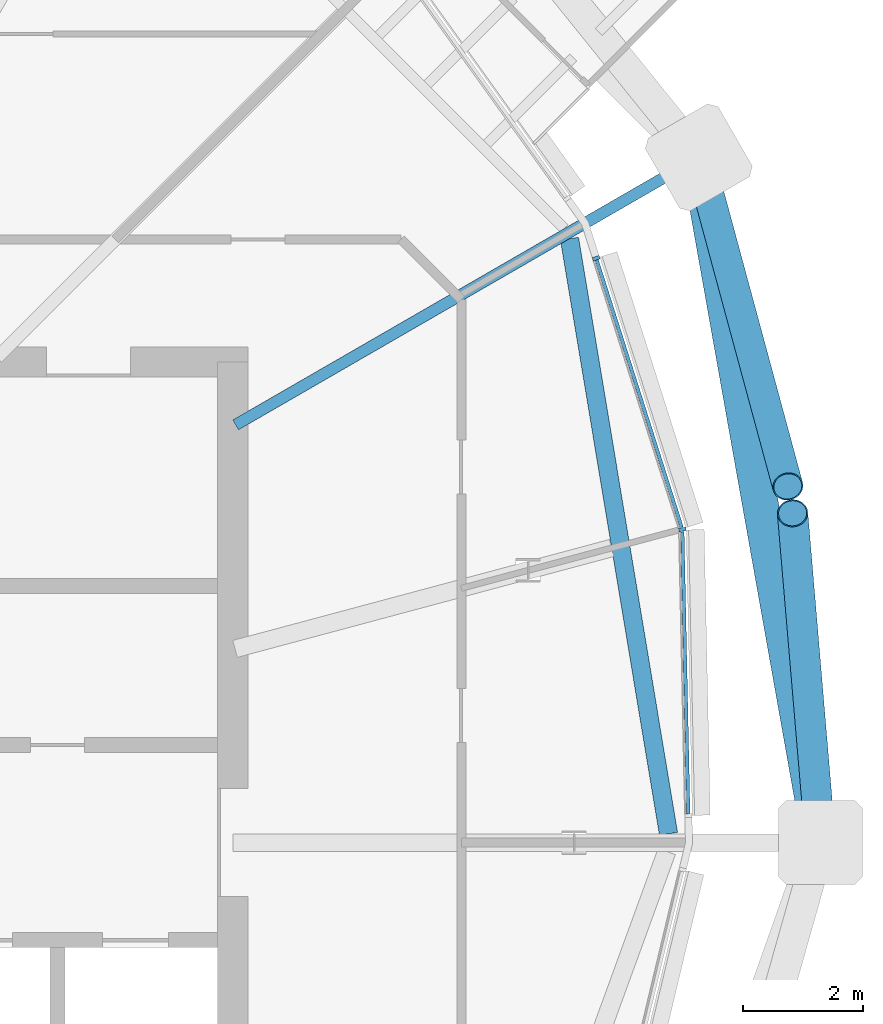
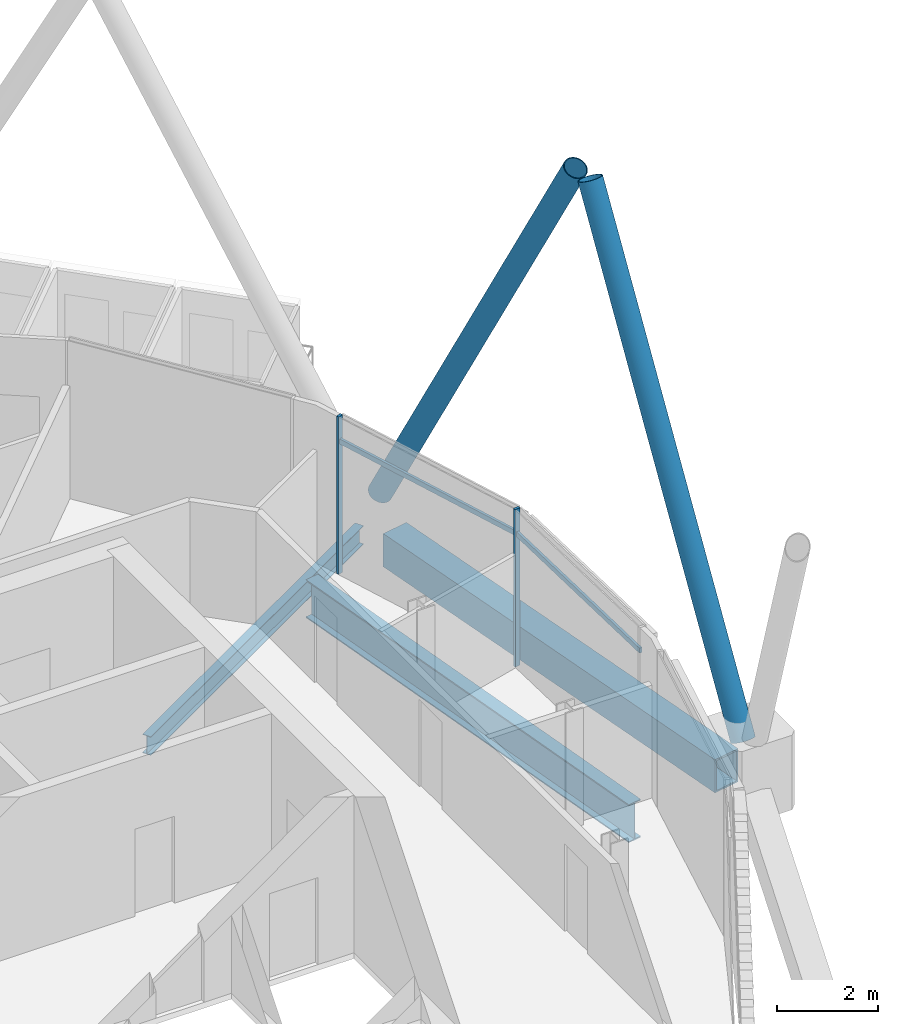
# One storey, part 15 of 34: 6 members, 3 beams, 1 element without a shape of its own.
"""IFC4 building model written with IfcOpenShell, lengths in metres."""

from ifc_helpers import new_model, si_unit, direction, frame, origin, origin_2d, place, context, subcontext, project, spatial, rectangle, hollow_rectangle, hollow_circle, i_section, extrude, material, material_profile, profile_set, type_object, element, aggregate, save


model = new_model("IFC4")

# Units and contexts
model_context = context("Model", 3, precision=1e-05, world=origin(), true_north=direction((0.0, 1.0)))
body_context = subcontext(model_context, "Body", "Model", "MODEL_VIEW")
ifc_project = project(units=[si_unit("LENGTHUNIT", "METRE"), si_unit("AREAUNIT", "SQUARE_METRE"), si_unit("VOLUMEUNIT", "CUBIC_METRE"), si_unit("PLANEANGLEUNIT", "RADIAN"), si_unit("MASSUNIT", "GRAM", prefix="KILO")], contexts=[model_context])

# Site, building, storey
site_placement = place(None, origin())
site = spatial("IfcSite", under=ifc_project, at=site_placement, CompositionType="ELEMENT")
building_placement = place(site_placement, origin())
building = spatial("IfcBuilding", under=site, at=building_placement, Name="Rimbun Link Towers", CompositionType="ELEMENT")
storey_placement = place(building_placement, frame((0.0, 0.0, 221.89990234375)))
storey = spatial("IfcBuildingStorey", under=building, at=storey_placement, Name="L54", CompositionType="ELEMENT", Elevation=221.89990234375)

# Curtain wall, members
ifc_material_1 = material(Name="Aluminium 6063-T6 and low-iron glass", Category="aluminium")
curtain_wall_type = type_object("IfcCurtainWallType", Name="CW1-Z4 unitised vision wall (zone 4)", PredefinedType="NOTDEFINED", material=ifc_material_1)
curtain_wall_placement = place(storey_placement, origin())
curtain_wall = element("IfcCurtainWall", 1, at=curtain_wall_placement, inside=storey, type_object=curtain_wall_type, Name="CW1 L54 T2", PredefinedType="NOTDEFINED")
ifc_material_2 = material(Name="Aluminium 6063-T6", Category="aluminium")
ifc_material_profile_1 = material_profile(ifc_material_2, rectangle(XDim=0.1201171875, YDim=0.06005859375, at=origin_2d()), Name="MULLION 60X120")
ifc_profile_set_1 = profile_set([ifc_material_profile_1], Name="Aluminium 6063-T6")
member_type_1 = type_object("IfcMemberType", Name="CW1 mullion 60X120", PredefinedType="MULLION", material=ifc_profile_set_1)
member_1_placement = place(storey_placement, frame((51.23681640625, 5.21533203125, 0.0), z_axis=(0.0, 0.0, 1.0), x_axis=(0.986503254432, 0.163741653209, 0.0)))
member_1 = element("IfcMember", 2, at=member_1_placement, type_object=member_type_1, Name="CW1 mullion", PredefinedType="MULLION", context=body_context, shape_type="SweptSolid", body=[
    extrude(rectangle(XDim=0.1201171875, YDim=0.06005859375, at=origin_2d()), origin(), (0.0, 0.0, 1.0), 3.800048828125),
])
member_2_placement = place(storey_placement, frame((49.801513671875, 9.73046875, 0.0), z_axis=(0.0, 0.0, 1.0), x_axis=(0.952973824415, 0.303052619159, 0.0)))
member_2 = element("IfcMember", 3, at=member_2_placement, type_object=member_type_1, Name="CW1 mullion", PredefinedType="MULLION", context=body_context, shape_type="SweptSolid", body=[
    extrude(rectangle(XDim=0.1201171875, YDim=0.06005859375, at=origin_2d()), origin(), (0.0, 0.0, 1.0), 3.800048828125),
])
ifc_material_3 = material(Name="Aluminium 6063-T6", Category="aluminium")
ifc_material_profile_2 = material_profile(ifc_material_3, rectangle(XDim=0.06005859375, YDim=0.1201171875, at=origin_2d()), Name="TRANSOM 60X120")
ifc_profile_set_2 = profile_set([ifc_material_profile_2], Name="Aluminium 6063-T6")
member_type_2 = type_object("IfcMemberType", Name="CW1 transom 60X120", PredefinedType="USERDEFINED", material=ifc_profile_set_2)
member_3_placement = place(storey_placement, frame((51.236328125, 5.1767578125, 3.2001953125), z_axis=(0.021052890197, -0.999778363346, 0.0), x_axis=(0.999778363346, 0.021052890197, 0.0)))
member_3 = element("IfcMember", 4, at=member_3_placement, type_object=member_type_2, Name="CW1 transom", ObjectType="TRANSOM", PredefinedType="USERDEFINED", context=body_context, shape_type="SweptSolid", body=[
    extrude(rectangle(XDim=0.06005859375, YDim=0.1201171875, at=origin_2d()), origin(), (0.0, 0.0, 1.0), 4.696533203125),
])
member_4_placement = place(storey_placement, frame((49.808837890625, 9.701416015625, 3.2001953125), z_axis=(0.303052581764, -0.952973836307, 0.0), x_axis=(0.952973836307, 0.303052581764, 0.0)))
member_4 = element("IfcMember", 5, at=member_4_placement, type_object=member_type_2, Name="CW1 transom", ObjectType="TRANSOM", PredefinedType="USERDEFINED", context=body_context, shape_type="SweptSolid", body=[
    extrude(rectangle(XDim=0.06005859375, YDim=0.1201171875, at=origin_2d()), origin(), (0.0, 0.0, 1.0), 4.669189453125),
])
aggregate(curtain_wall, [member_1, member_2, member_3, member_4])

# Members
ifc_material_4 = material(Name="Steel S355J2H", Category="steel")
ifc_material_profile_3 = material_profile(ifc_material_4, hollow_circle(Radius=0.25390625, WallThickness=0.02001953125, at=origin_2d()), Name="Diagrid diagonal CHS 508x20")
ifc_profile_set_3 = profile_set([ifc_material_profile_3], Name="Steel S355J2H")
member_type_3 = type_object("IfcMemberType", Name="Diagrid diagonal CHS 508x20", PredefinedType="BRACE", material=ifc_profile_set_3)
member_5_placement = place(storey_placement, frame((53.518310546875, 0.2236328125, 0.44677734375), z_axis=(-0.037912672827, 0.447415217276, 0.893522385052), x_axis=(-0.996429030248, -0.084434517111, 0.0)))
element("IfcMember", 6, at=member_5_placement, inside=storey, type_object=member_type_3, Name="Diagrid diagonal T2 L54-L57 21b", PredefinedType="BRACE", context=body_context, shape_type="SweptSolid", body=[
    extrude(hollow_circle(Radius=0.25390625, WallThickness=0.02001953125, at=origin_2d()), origin(), (0.0, 0.0, 1.0), 11.758544921875),
])
member_6_placement = place(storey_placement, frame((51.5712890625, 11.18701171875, 0.444091796875), z_axis=(0.120124292015, -0.444016503239, 0.887929895498), x_axis=(0.965297745895, 0.26115179833, 0.0)))
element("IfcMember", 7, at=member_6_placement, inside=storey, type_object=member_type_3, Name="Diagrid diagonal T2 L54-L57 23a", PredefinedType="BRACE", context=body_context, shape_type="SweptSolid", body=[
    extrude(hollow_circle(Radius=0.25390625, WallThickness=0.02001953125, at=origin_2d()), origin(), (0.0, 0.0, 1.0), 11.838623046875),
])

# Beams
ifc_material_5 = material(Name="Steel S355J2", Category="steel")
ifc_material_profile_4 = material_profile(ifc_material_5, hollow_rectangle(XDim=0.60009765625, YDim=0.800048828125, WallThickness=0.0400390625, at=origin_2d()), Name="Exoskeleton ring girder BOX 600x800x40")
ifc_profile_set_4 = profile_set([ifc_material_profile_4], Name="Steel S355J2")
beam_type_1 = type_object("IfcBeamType", Name="Exoskeleton ring girder BOX 600x800x40", PredefinedType="BEAM", material=ifc_profile_set_4)
beam_1_placement = place(storey_placement, frame((53.414794921875, 0.689208984375, -0.559814453125), z_axis=(-0.174843360939, 0.984596261996, 0.0), x_axis=(-0.984596261996, -0.174843360939, 0.0)))
element("IfcBeam", 8, at=beam_1_placement, inside=storey, type_object=beam_type_1, Name="Exoskeleton ring girder L54 10", PredefinedType="BEAM", context=body_context, shape_type="SweptSolid", body=[
    extrude(hollow_rectangle(XDim=0.60009765625, YDim=0.800048828125, WallThickness=0.0400390625, at=origin_2d()), origin(), (0.0, 0.0, 1.0), 10.187744140625),
])
ifc_material_6 = material(Name="Steel S355J2", Category="steel")
ifc_material_profile_5 = material_profile(ifc_material_6, i_section(OverallWidth=0.18994140625, OverallDepth=0.453369140625, WebThickness=0.008544921875, FlangeThickness=0.0126953125, at=origin_2d()), Name="UB 457x191x67")
ifc_profile_set_5 = profile_set([ifc_material_profile_5], Name="Steel S355J2")
beam_type_2 = type_object("IfcBeamType", Name="UB 457x191x67", PredefinedType="BEAM", material=ifc_profile_set_5)
beam_2_placement = place(storey_placement, frame((43.79833984375, 6.9560546875, -0.36669921875), z_axis=(0.866018239375, 0.500012408917, 0.0), x_axis=(-0.500012408917, 0.866018239375, 0.0)))
element("IfcBeam", 9, at=beam_2_placement, inside=storey, type_object=beam_type_2, Name="Radial beam T2 L54 23", PredefinedType="BEAM", context=body_context, shape_type="SweptSolid", body=[
    extrude(i_section(OverallWidth=0.18994140625, OverallDepth=0.453369140625, WebThickness=0.008544921875, FlangeThickness=0.0126953125, at=origin_2d()), origin(), (0.0, 0.0, 1.0), 8.406005859375),
])
ifc_material_7 = material(Name="Steel S355J2", Category="steel")
ifc_material_profile_6 = material_profile(ifc_material_7, i_section(OverallWidth=0.305419921875, OverallDepth=0.91845703125, WebThickness=0.017333984375, FlangeThickness=0.02783203125, at=origin_2d()), Name="UB 914x305x253")
ifc_profile_set_6 = profile_set([ifc_material_profile_6], Name="Steel S355J2")
beam_type_3 = type_object("IfcBeamType", Name="UB 914x305x253", PredefinedType="BEAM", material=ifc_profile_set_6)
beam_3_placement = place(storey_placement, frame((51.005859375, 0.147216796875, -0.59912109375), z_axis=(-0.164071820039, 0.986448395948, 0.0), x_axis=(-0.986448395948, -0.164071820039, 0.0)))
element("IfcBeam", 10, at=beam_3_placement, inside=storey, type_object=beam_type_3, Name="Edge beam T2 L54 21-23", PredefinedType="BEAM", context=body_context, shape_type="SweptSolid", body=[
    extrude(i_section(OverallWidth=0.305419921875, OverallDepth=0.91845703125, WebThickness=0.017333984375, FlangeThickness=0.02783203125, at=origin_2d()), origin(), (0.0, 0.0, 1.0), 10.044189453125),
])

save(model, "model.ifc")
